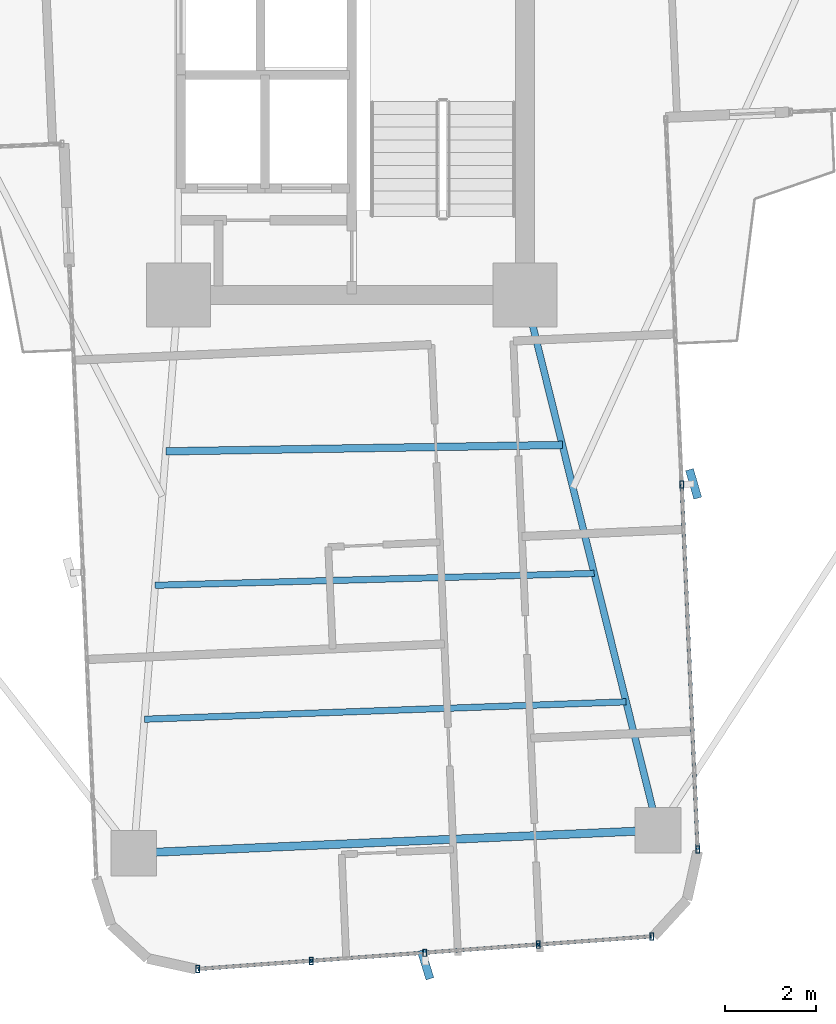
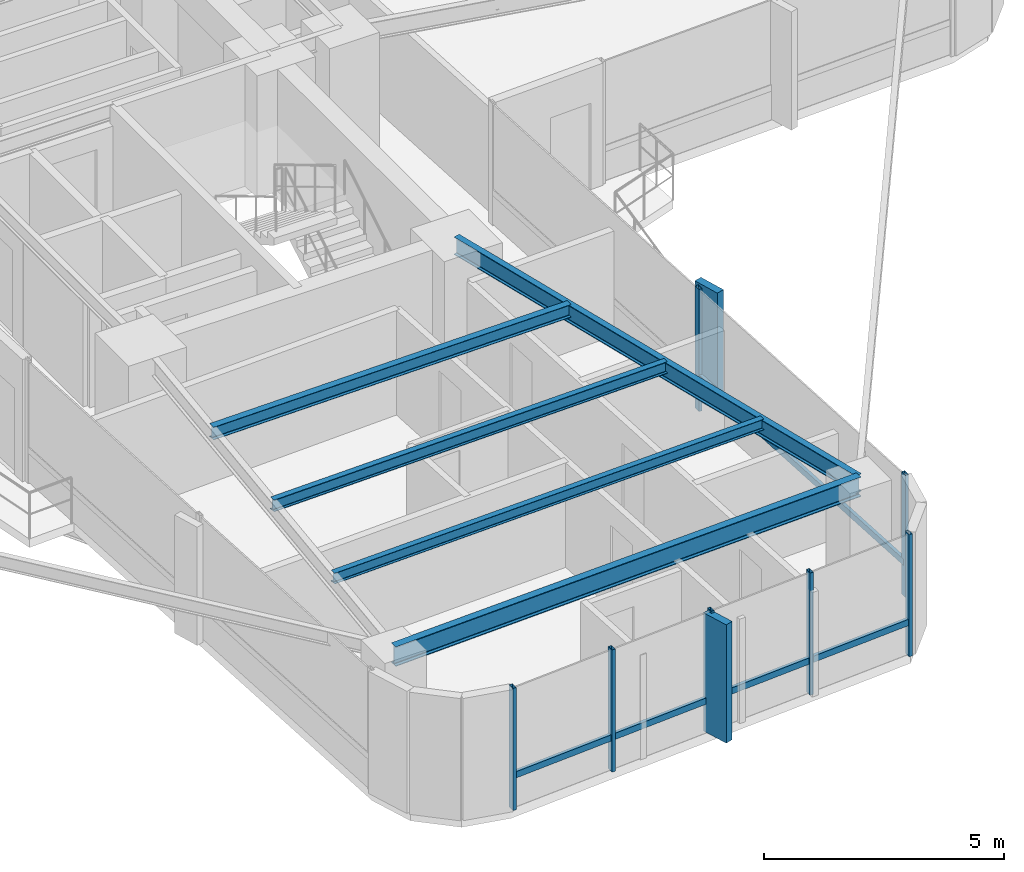
# One storey, part 6 of 26: 14 members, 5 beams, 2 elements without a shape of their own.
"""IFC4 building model written with IfcOpenShell, lengths in metres."""

from ifc_helpers import new_model, si_unit, direction, frame, origin, origin_2d, place, context, subcontext, project, spatial, rectangle, hollow_rectangle, i_section, extrude, source, transform, mapped, material, material_profile, profile_set, type_object, element, aggregate, save


model = new_model("IFC4")

# Units and contexts
model_context = context("Model", 3, precision=1e-05, world=origin(), true_north=direction((0.0, 1.0)))
body_context = subcontext(model_context, "Body", "Model", "MODEL_VIEW")
ifc_project = project(units=[si_unit("LENGTHUNIT", "METRE"), si_unit("AREAUNIT", "SQUARE_METRE"), si_unit("VOLUMEUNIT", "CUBIC_METRE"), si_unit("PLANEANGLEUNIT", "RADIAN"), si_unit("MASSUNIT", "GRAM", prefix="KILO")], contexts=[model_context])

# Site, building, storey
site_placement = place(None, origin())
site = spatial("IfcSite", under=ifc_project, at=site_placement, CompositionType="ELEMENT")
building_placement = place(site_placement, origin())
building = spatial("IfcBuilding", under=site, at=building_placement, Name="Sahyath Konkavel Grand Hotel", CompositionType="ELEMENT")
storey_placement = place(building_placement, frame((0.0, 0.0, 96.89990234375)))
storey = spatial("IfcBuildingStorey", under=building, at=storey_placement, Name="L26", CompositionType="ELEMENT", Elevation=96.89990234375)

# Beams
ifc_material_1 = material(Name="Steel E350", Category="steel")
ifc_material_profile_1 = material_profile(ifc_material_1, i_section(OverallWidth=0.14990234375, OverallDepth=0.449951171875, WebThickness=0.009521484375, FlangeThickness=0.017333984375, FilletRadius=0.014892578125, at=origin_2d()), Name="ISMB 450")
ifc_profile_set_1 = profile_set([ifc_material_profile_1], Name="Steel E350")
beam_type_1 = type_object("IfcBeamType", Name="BM-ISMB450", PredefinedType="BEAM", material=ifc_profile_set_1)
shared_shape_1 = source(origin(), body_context, "Body", "SweptSolid", [
    extrude(i_section(OverallWidth=0.14990234375, OverallDepth=0.449951171875, WebThickness=0.009521484375, FlangeThickness=0.017333984375, FilletRadius=0.014892578125, at=origin_2d()), origin(), (0.0, 0.0, 1.0), 12.084228515625),
])
beam_1_placement = place(storey_placement, frame((3.800048828125, -10.199951171875, 2.885009765625), z_axis=(0.241042688481, -0.970514514229, 0.0), x_axis=(0.970514514229, 0.241042688481, 0.0)))
element("IfcBeam", 1, at=beam_1_placement, inside=storey, type_object=beam_type_1, Name="L26 Cruciform Radial Girder SB", PredefinedType="BEAM", context=body_context, shape_type="MappedRepresentation", body=[
    mapped(shared_shape_1, transform((0.0, 0.0, 0.0), scale=1.0)),
])
ifc_material_profile_2 = material_profile(ifc_material_1, i_section(OverallWidth=0.179931640625, OverallDepth=0.5, WebThickness=0.01025390625, FlangeThickness=0.01708984375, FilletRadius=0.01708984375, at=origin_2d()), Name="ISMB 500")
ifc_profile_set_2 = profile_set([ifc_material_profile_2], Name="Steel E350")
beam_type_2 = type_object("IfcBeamType", Name="BM-ISMB500", PredefinedType="BEAM", material=ifc_profile_set_2)
shared_shape_2 = source(origin(), body_context, "Body", "SweptSolid", [
    extrude(i_section(OverallWidth=0.179931640625, OverallDepth=0.5, WebThickness=0.01025390625, FlangeThickness=0.01708984375, FilletRadius=0.01708984375, at=origin_2d()), origin(), (0.0, 0.0, 1.0), 11.5),
])
beam_2_placement = place(storey_placement, frame((-4.776123046875, -22.4296875, 2.860107421875), z_axis=(0.99904788879, 0.043627008892, 0.0), x_axis=(-0.043627008892, 0.99904788879, 0.0)))
element("IfcBeam", 2, at=beam_2_placement, inside=storey, type_object=beam_type_2, Name="L26 Wing Tip Edge Beam S", PredefinedType="BEAM", context=body_context, shape_type="MappedRepresentation", body=[
    mapped(shared_shape_2, transform((0.0, 0.0, 0.0), scale=1.0)),
])
ifc_material_profile_3 = material_profile(ifc_material_1, i_section(OverallWidth=0.1650390625, OverallDepth=0.324951171875, WebThickness=0.007080078125, FlangeThickness=0.009765625, FilletRadius=0.014892578125, at=origin_2d()), Name="ISLB 325")
ifc_profile_set_3 = profile_set([ifc_material_profile_3], Name="Steel E350")
beam_type_3 = type_object("IfcBeamType", Name="BM-ISLB325", PredefinedType="BEAM", material=ifc_profile_set_3)
shared_shape_3 = source(origin(), body_context, "Body", "SweptSolid", [
    extrude(i_section(OverallWidth=0.1650390625, OverallDepth=0.324951171875, WebThickness=0.007080078125, FlangeThickness=0.009765625, FilletRadius=0.014892578125, at=origin_2d()), origin(), (0.0, 0.0, 1.0), 8.68994140625),
])
beam_3_placement = place(storey_placement, frame((-4.0732421875, -13.624267578125, 2.947509765625), z_axis=(0.999869506431, 0.016154569283, 0.0), x_axis=(-0.016154569283, 0.999869506431, 0.0)))
element("IfcBeam", 3, at=beam_3_placement, inside=storey, type_object=beam_type_3, Name="L26 Secondary Floor Beam S-1", PredefinedType="BEAM", context=body_context, shape_type="MappedRepresentation", body=[
    mapped(shared_shape_3, transform((0.0, 0.0, 0.0), scale=1.0)),
])
ifc_material_profile_4 = material_profile(ifc_material_1, i_section(OverallWidth=0.139892578125, OverallDepth=0.300048828125, WebThickness=0.0078125, FlangeThickness=0.01318359375, FilletRadius=0.013916015625, at=origin_2d()), Name="ISMB 300")
ifc_profile_set_4 = profile_set([ifc_material_profile_4], Name="Steel E350")
beam_type_4 = type_object("IfcBeamType", Name="BM-ISMB300", PredefinedType="BEAM", material=ifc_profile_set_4)
shared_shape_4 = source(origin(), body_context, "Body", "SweptSolid", [
    extrude(i_section(OverallWidth=0.139892578125, OverallDepth=0.300048828125, WebThickness=0.0078125, FlangeThickness=0.01318359375, FilletRadius=0.013916015625, at=origin_2d()), origin(), (0.0, 0.0, 1.0), 9.625732421875),
])
beam_4_placement = place(storey_placement, frame((-4.3076171875, -16.559326171875, 2.960205078125), z_axis=(0.999633060528, 0.027087714933, 0.0), x_axis=(-0.027087714933, 0.999633060528, 0.0)))
element("IfcBeam", 4, at=beam_4_placement, inside=storey, type_object=beam_type_4, Name="L26 Secondary Floor Beam S-2", PredefinedType="BEAM", context=body_context, shape_type="MappedRepresentation", body=[
    mapped(shared_shape_4, transform((0.0, 0.0, 0.0), scale=1.0)),
])
ifc_material_profile_5 = material_profile(ifc_material_1, i_section(OverallWidth=0.139892578125, OverallDepth=0.27490234375, WebThickness=0.00634765625, FlangeThickness=0.0087890625, FilletRadius=0.012939453125, at=origin_2d()), Name="ISLB 275")
ifc_profile_set_5 = profile_set([ifc_material_profile_5], Name="Steel E350")
beam_type_5 = type_object("IfcBeamType", Name="BM-ISLB275", PredefinedType="BEAM", material=ifc_profile_set_5)
shared_shape_5 = source(origin(), body_context, "Body", "SweptSolid", [
    extrude(i_section(OverallWidth=0.139892578125, OverallDepth=0.27490234375, WebThickness=0.00634765625, FlangeThickness=0.0087890625, FilletRadius=0.012939453125, at=origin_2d()), origin(), (0.0, 0.0, 1.0), 10.562744140625),
])
beam_5_placement = place(storey_placement, frame((-4.5419921875, -19.49462890625, 2.97265625), z_axis=(0.999348077295, 0.036102914095, 0.0), x_axis=(-0.036102914095, 0.999348077295, 0.0)))
element("IfcBeam", 5, at=beam_5_placement, inside=storey, type_object=beam_type_5, Name="L26 Secondary Floor Beam S-3", PredefinedType="BEAM", context=body_context, shape_type="MappedRepresentation", body=[
    mapped(shared_shape_5, transform((0.0, 0.0, 0.0), scale=1.0)),
])

# Curtain wall, member
ifc_material_2 = material(Name="Anodised Bronze Aluminium & Low-E Glazing", Category="aluminium")
curtain_wall_type = type_object("IfcCurtainWallType", Name="CW-ZONE2", PredefinedType="NOTDEFINED", material=ifc_material_2)
curtain_wall_1_placement = place(storey_placement, origin())
curtain_wall_1 = element("IfcCurtainWall", 6, at=curtain_wall_1_placement, inside=storey, type_object=curtain_wall_type, Name="L26 Unitised Curtain Wall F28", PredefinedType="NOTDEFINED")
ifc_material_3 = material(Name="Warm Buff Sandstone Cladding on Concrete C50/60", Category="masonry")
ifc_material_profile_6 = material_profile(ifc_material_3, rectangle(XDim=0.179931640625, YDim=0.64990234375, at=origin_2d()), Name="FIN 180x650")
ifc_profile_set_6 = profile_set([ifc_material_profile_6], Name="Warm Buff Sandstone Cladding on Concrete C50/60")
member_type_1 = type_object("IfcMemberType", Name="FIN-SANDSTONE-650", PredefinedType="MULLION", material=ifc_profile_set_6)
shared_shape_6 = source(origin(), body_context, "Body", "SweptSolid", [
    extrude(rectangle(XDim=0.179931640625, YDim=0.64990234375, at=origin_2d()), origin(), (0.0, 0.0, 1.0), 3.010009765625),
])
member_1_placement = place(storey_placement, frame((1.61865234375, -24.872314453125, 0.050048828125), z_axis=(0.0, 0.0, 1.0), x_axis=(0.956151539415, 0.292872384621, 0.0)))
member_1 = element("IfcMember", 7, at=member_1_placement, type_object=member_type_1, Name="L26 Sandstone Vertical Solar Fin FIN F28-2", PredefinedType="MULLION", context=body_context, shape_type="MappedRepresentation", body=[
    mapped(shared_shape_6, transform((0.0, 0.0, 0.0), scale=1.0)),
])

curtain_wall_2_placement = place(storey_placement, origin())
curtain_wall_2 = element("IfcCurtainWall", 8, at=curtain_wall_2_placement, inside=storey, type_object=curtain_wall_type, Name="L26 Unitised Curtain Wall F31", PredefinedType="NOTDEFINED")
member_2_placement = place(storey_placement, frame((7.492431640625, -14.3369140625, 0.050048828125), z_axis=(0.0, 0.0, 1.0), x_axis=(0.960488224179, 0.278320626641, 0.0)))
member_2 = element("IfcMember", 9, at=member_2_placement, type_object=member_type_1, Name="L26 Sandstone Vertical Solar Fin FIN F31-1", PredefinedType="MULLION", context=body_context, shape_type="MappedRepresentation", body=[
    mapped(shared_shape_6, transform((0.0, 0.0, 0.0), scale=1.0)),
])

# Member
ifc_material_4 = material(Name="Anodised Bronze Aluminium", Category="aluminium")
ifc_material_profile_7 = material_profile(ifc_material_4, hollow_rectangle(XDim=0.080078125, YDim=0.159912109375, WallThickness=0.006103515625, at=origin_2d()), Name="RHS 160x80x6")
ifc_profile_set_7 = profile_set([ifc_material_profile_7], Name="Anodised Bronze Aluminium")
member_type_2 = type_object("IfcMemberType", Name="CW-MUL-160", PredefinedType="MULLION", material=ifc_profile_set_7)
shared_shape_7 = source(origin(), body_context, "Body", "SweptSolid", [
    extrude(hollow_rectangle(XDim=0.080078125, YDim=0.159912109375, WallThickness=0.006103515625, at=origin_2d()), origin(), (0.0, 0.0, 1.0), 3.110107421875),
])
member_3_placement = place(storey_placement, frame((-3.3740234375, -24.9697265625, 0.0), z_axis=(0.0, 0.0, 1.0), x_axis=(1.0, 0.0, 0.0)))
member_3 = element("IfcMember", 10, at=member_3_placement, type_object=member_type_2, Name="L26 Curtain Wall Mullion F28-0", PredefinedType="MULLION", context=body_context, shape_type="MappedRepresentation", body=[
    mapped(shared_shape_7, transform((0.0, 0.0, 0.0), scale=1.0)),
])

member_4_placement = place(storey_placement, frame((-0.886962890625, -24.79150390625, 0.0), z_axis=(0.0, 0.0, 1.0), x_axis=(1.0, 0.0, 0.0)))
member_4 = element("IfcMember", 11, at=member_4_placement, type_object=member_type_2, Name="L26 Curtain Wall Mullion F28-1", PredefinedType="MULLION", context=body_context, shape_type="MappedRepresentation", body=[
    mapped(shared_shape_7, transform((0.0, 0.0, 0.0), scale=1.0)),
])

member_5_placement = place(storey_placement, frame((1.60009765625, -24.61279296875, 0.0), z_axis=(0.0, 0.0, 1.0), x_axis=(1.0, 0.0, 0.0)))
member_5 = element("IfcMember", 12, at=member_5_placement, type_object=member_type_2, Name="L26 Curtain Wall Mullion F28-2", PredefinedType="MULLION", context=body_context, shape_type="MappedRepresentation", body=[
    mapped(shared_shape_7, transform((0.0, 0.0, 0.0), scale=1.0)),
])

member_6_placement = place(storey_placement, frame((4.087158203125, -24.4345703125, 0.0), z_axis=(0.0, 0.0, 1.0), x_axis=(1.0, 0.0, 0.0)))
member_6 = element("IfcMember", 13, at=member_6_placement, type_object=member_type_2, Name="L26 Curtain Wall Mullion F28-3", PredefinedType="MULLION", context=body_context, shape_type="MappedRepresentation", body=[
    mapped(shared_shape_7, transform((0.0, 0.0, 0.0), scale=1.0)),
])

member_7_placement = place(storey_placement, frame((6.57421875, -24.256103515625, 0.0), z_axis=(0.0, 0.0, 1.0), x_axis=(1.0, 0.0, 0.0)))
member_7 = element("IfcMember", 14, at=member_7_placement, type_object=member_type_2, Name="L26 Curtain Wall Mullion F28-4", PredefinedType="MULLION", context=body_context, shape_type="MappedRepresentation", body=[
    mapped(shared_shape_7, transform((0.0, 0.0, 0.0), scale=1.0)),
])

member_8_placement = place(storey_placement, frame((7.582275390625, -22.3505859375, 0.0), z_axis=(0.0, 0.0, 1.0), x_axis=(1.0, 0.0, 0.0)))
member_8 = element("IfcMember", 15, at=member_8_placement, type_object=member_type_2, Name="L26 Curtain Wall Mullion F31-0", PredefinedType="MULLION", context=body_context, shape_type="MappedRepresentation", body=[
    mapped(shared_shape_7, transform((0.0, 0.0, 0.0), scale=1.0)),
])

member_9_placement = place(storey_placement, frame((7.232666015625, -14.34814453125, 0.0), z_axis=(0.0, 0.0, 1.0), x_axis=(1.0, 0.0, 0.0)))
member_9 = element("IfcMember", 16, at=member_9_placement, type_object=member_type_2, Name="L26 Curtain Wall Mullion F31-1", PredefinedType="MULLION", context=body_context, shape_type="MappedRepresentation", body=[
    mapped(shared_shape_7, transform((0.0, 0.0, 0.0), scale=1.0)),
])

ifc_material_profile_8 = material_profile(ifc_material_4, hollow_rectangle(XDim=0.080078125, YDim=0.159912109375, WallThickness=0.006103515625, at=origin_2d()), Name="RHS 160x80x6")
ifc_profile_set_8 = profile_set([ifc_material_profile_8], Name="Anodised Bronze Aluminium")
member_type_3 = type_object("IfcMemberType", Name="CW-TRN-160", PredefinedType="USERDEFINED", material=ifc_profile_set_8)
shared_shape_8 = source(origin(), body_context, "Body", "SweptSolid", [
    extrude(hollow_rectangle(XDim=0.080078125, YDim=0.159912109375, WallThickness=0.006103515625, at=origin_2d()), origin(), (0.0, 0.0, 1.0), 2.493408203125),
])
member_10_placement = place(storey_placement, frame((-3.3740234375, -24.9697265625, 0.85009765625), z_axis=(0.997442271688, 0.071476672066, 0.0), x_axis=(-0.071476672066, 0.997442271688, 0.0)))
member_10 = element("IfcMember", 17, at=member_10_placement, type_object=member_type_3, Name="L26 Curtain Wall Transom F28-0-spandrel", ObjectType="TRANSOM", PredefinedType="USERDEFINED", context=body_context, shape_type="MappedRepresentation", body=[
    mapped(shared_shape_8, transform((0.0, 0.0, 0.0), scale=1.0)),
])

member_11_placement = place(storey_placement, frame((-0.886962890625, -24.79150390625, 0.85009765625), z_axis=(0.997428291631, 0.071671494009, 0.0), x_axis=(-0.071671494009, 0.997428291631, 0.0)))
member_11 = element("IfcMember", 18, at=member_11_placement, type_object=member_type_3, Name="L26 Curtain Wall Transom F28-1-spandrel", ObjectType="TRANSOM", PredefinedType="USERDEFINED", context=body_context, shape_type="MappedRepresentation", body=[
    mapped(shared_shape_8, transform((0.0, 0.0, 0.0), scale=1.0)),
])

member_12_placement = place(storey_placement, frame((1.60009765625, -24.61279296875, 0.85009765625), z_axis=(0.997442271688, 0.071476672066, 0.0), x_axis=(-0.071476672066, 0.997442271688, 0.0)))
member_12 = element("IfcMember", 19, at=member_12_placement, type_object=member_type_3, Name="L26 Curtain Wall Transom F28-2-spandrel", ObjectType="TRANSOM", PredefinedType="USERDEFINED", context=body_context, shape_type="MappedRepresentation", body=[
    mapped(shared_shape_8, transform((0.0, 0.0, 0.0), scale=1.0)),
])

member_13_placement = place(storey_placement, frame((4.087158203125, -24.4345703125, 0.85009765625), z_axis=(0.997435286367, 0.071574084062, 0.0), x_axis=(-0.071574084062, 0.997435286367, 0.0)))
member_13 = element("IfcMember", 20, at=member_13_placement, type_object=member_type_3, Name="L26 Curtain Wall Transom F28-3-spandrel", ObjectType="TRANSOM", PredefinedType="USERDEFINED", context=body_context, shape_type="MappedRepresentation", body=[
    mapped(shared_shape_8, transform((0.0, 0.0, 0.0), scale=1.0)),
])

aggregate(curtain_wall_1, [member_3, member_4, member_5, member_1, member_6, member_7, member_10, member_11, member_12, member_13])

shared_shape_9 = source(origin(), body_context, "Body", "SweptSolid", [
    extrude(hollow_rectangle(XDim=0.080078125, YDim=0.159912109375, WallThickness=0.006103515625, at=origin_2d()), origin(), (0.0, 0.0, 1.0), 8.010009765625),
])
member_14_placement = place(storey_placement, frame((7.582275390625, -22.3505859375, 0.85009765625), z_axis=(-0.043646207089, 0.999047050247, 0.0), x_axis=(-0.999047050247, -0.043646207089, 0.0)))
member_14 = element("IfcMember", 21, at=member_14_placement, type_object=member_type_3, Name="L26 Curtain Wall Transom F31-0-spandrel", ObjectType="TRANSOM", PredefinedType="USERDEFINED", context=body_context, shape_type="MappedRepresentation", body=[
    mapped(shared_shape_9, transform((0.0, 0.0, 0.0), scale=1.0)),
])

aggregate(curtain_wall_2, [member_8, member_9, member_2, member_14])

save(model, "model.ifc")
